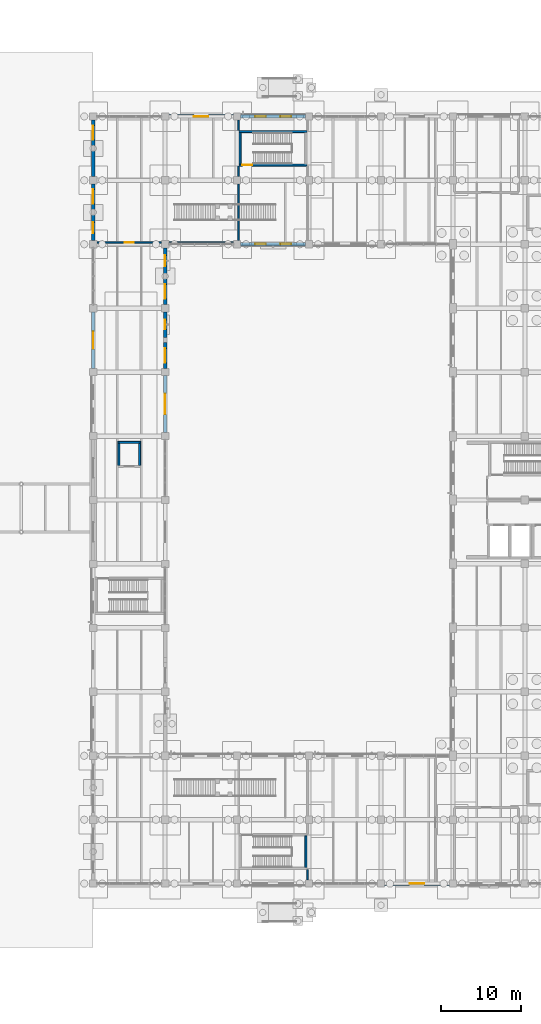
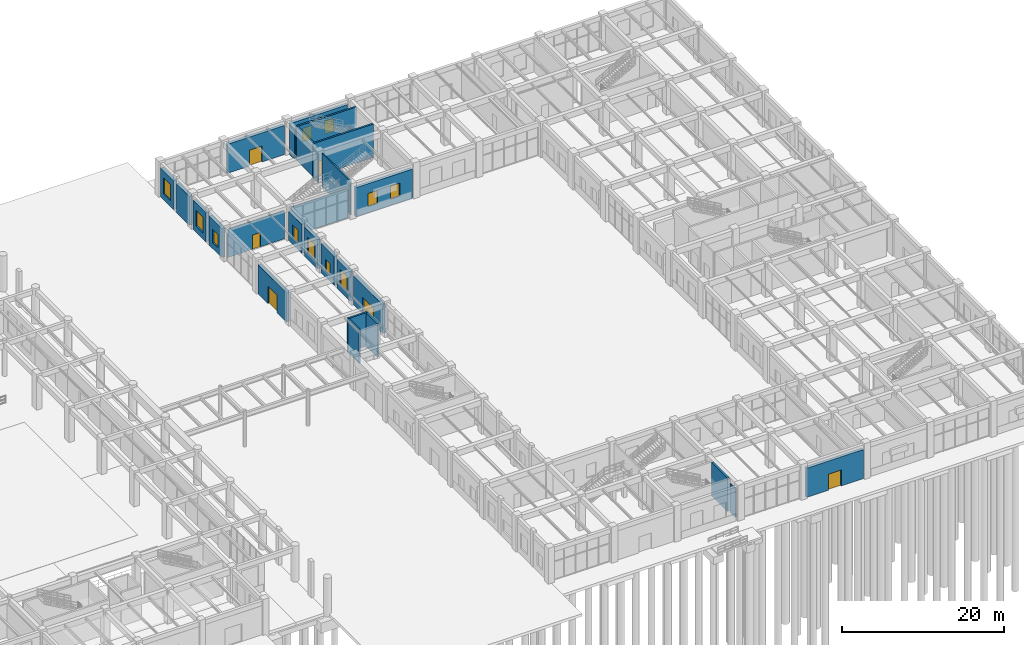
# One storey, part 96 of 121: 27 walls, 11 windows, 6 doors, 17 openings.
"""IFC4 building model written with IfcOpenShell, lengths in metres."""

import ifcopenshell
import ifcopenshell.guid

model = None  # the IFC model being written
_history = None  # IfcOwnerHistory: only IFC2X3 demands one
_inside = {}  # id of a spatial element -> (the spatial element, [elements in it])
_under = {}  # id of a project, library or spatial element -> (it, [spatial elements below it])
_declared = {}  # id of a project -> (the project, [libraries it declares])
_typed = {}  # id of a type object -> (the type object, [elements of that type])
_made_of = {}  # id of a material, layer set ... -> (it, [elements and type objects made of it])


def new_model(schema):
    """Start an empty IFC model of exactly this schema.

    Asked for "IFC4X3", IfcOpenShell would pick the latest addendum, in which some entities
    have other attributes; the version numbers below select the first issue.
    IFC2X3 requires an IfcOwnerHistory on every rooted entity: one is made here for all.
    """
    global model, _history
    if schema == "IFC4X3":
        model = ifcopenshell.file(schema_version=(4, 3, 0, 0))
    else:
        model = ifcopenshell.file(schema=schema)
    _inside.clear()
    _under.clear()
    _declared.clear()
    _typed.clear()
    _made_of.clear()
    _history = None
    if model.schema == "IFC2X3":
        org = make("IfcOrganization", Name="unknown")
        user = make(
            "IfcPersonAndOrganization",
            ThePerson=make("IfcPerson", FamilyName="unknown"),
            TheOrganization=org,
        )
        app = make(
            "IfcApplication",
            ApplicationDeveloper=org,
            Version="unknown",
            ApplicationFullName="unknown",
            ApplicationIdentifier="unknown",
        )
        _history = make(
            "IfcOwnerHistory",
            OwningUser=user,
            OwningApplication=app,
            ChangeAction="ADDED",
            CreationDate=0,
        )
    return model


def make(cls, **values):
    """One entity of the class cls with the attributes given. An attribute that is None is left unset."""
    return model.create_entity(
        cls, **{name: value for name, value in values.items() if value is not None}
    )


def rooted(cls, **values):
    """An entity with a GlobalId (a new one), such as an element, a storey or a relation."""
    return make(cls, GlobalId=ifcopenshell.guid.new(), OwnerHistory=_history, **values)


def si_unit(unit_type, name, prefix=None):
    """IfcSIUnit, for example si_unit("LENGTHUNIT", "METRE", prefix="MILLI")."""
    return make("IfcSIUnit", UnitType=unit_type, Prefix=prefix, Name=name)


def derived_unit(unit_type, elements):
    """IfcDerivedUnit: a product of units, each with its exponent."""
    return make(
        "IfcDerivedUnit",
        Elements=[
            make("IfcDerivedUnitElement", Unit=unit, Exponent=power)
            for unit, power in elements
        ],
        UnitType=unit_type,
    )


def assignment(units):
    """IfcUnitAssignment: the units of a project."""
    return None if units is None else make("IfcUnitAssignment", Units=units)


def point(xyz):
    """IfcCartesianPoint."""
    return None if xyz is None else make("IfcCartesianPoint", Coordinates=xyz)


def direction(xyz):
    """IfcDirection."""
    return None if xyz is None else make("IfcDirection", DirectionRatios=xyz)


def frame(location, z_axis=None, x_axis=None):
    """IfcAxis2Placement3D, a coordinate frame: its origin and axes. An axis left out is left unset."""
    return make(
        "IfcAxis2Placement3D",
        Location=point(location),
        Axis=direction(z_axis),
        RefDirection=direction(x_axis),
    )


def frame_2d(location, x_axis=None):
    """IfcAxis2Placement2D, a coordinate frame in the plane: its origin and x axis."""
    return make(
        "IfcAxis2Placement2D", Location=point(location), RefDirection=direction(x_axis)
    )


def origin():
    """The frame at (0, 0, 0) with its axes left unset."""
    return frame((0.0, 0.0, 0.0))


def place(relative_to, where):
    """IfcLocalPlacement: puts the frame where relative to a parent placement (None: the world)."""
    return make(
        "IfcLocalPlacement", PlacementRelTo=relative_to, RelativePlacement=where
    )


def context(
    kind, dimensions, precision=None, world=None, true_north=None, identifier=None
):
    """IfcGeometricRepresentationContext, for example the 3D "Model" context."""
    return make(
        "IfcGeometricRepresentationContext",
        ContextIdentifier=identifier,
        ContextType=kind,
        CoordinateSpaceDimension=dimensions,
        Precision=precision,
        WorldCoordinateSystem=world,
        TrueNorth=true_north,
    )


def subcontext(parent, identifier, kind, view, scale=None):
    """IfcGeometricRepresentationSubContext, for example "Body" below "Model"."""
    return make(
        "IfcGeometricRepresentationSubContext",
        ContextIdentifier=identifier,
        ContextType=kind,
        ParentContext=parent,
        TargetScale=scale,
        TargetView=view,
    )


def project(units=None, contexts=None):
    """IfcProject with its units and contexts."""
    return rooted(
        "IfcProject",
        Name="project",
        RepresentationContexts=contexts,
        UnitsInContext=assignment(units),
    )


def spatial(cls, under=None, at=None, **own):
    """A site, building, storey or space (cls), placed at a placement, below another one or the project."""
    s = rooted(cls, ObjectPlacement=at, **own)
    if under is not None:
        _under.setdefault(under.id(), (under, []))[1].append(s)
    return s


def profile(cls, at=None, kind="AREA", **sizes):
    """A parametric profile (cls). Its sizes go by their IFC names, for example OverallWidth=200.0."""
    return make(cls, ProfileType=kind, Position=at, **sizes)


def rectangle(**sizes):
    """IfcRectangleProfileDef."""
    return profile("IfcRectangleProfileDef", **sizes)


def extrude(swept, where, along, depth):
    """IfcExtrudedAreaSolid: the profile swept, set in the frame where, extruded along a direction by depth."""
    return make(
        "IfcExtrudedAreaSolid",
        SweptArea=swept,
        Position=where,
        ExtrudedDirection=direction(along),
        Depth=depth,
    )


def shape(context_of_items, identifier, shape_type, items):
    """IfcShapeRepresentation: the items that make up one representation, for example the "Body"."""
    return make(
        "IfcShapeRepresentation",
        ContextOfItems=context_of_items,
        RepresentationIdentifier=identifier,
        RepresentationType=shape_type,
        Items=items,
    )


def material(Name=None, Category=None):
    """IfcMaterial."""
    return make("IfcMaterial", Name=Name, Category=Category)


def layer(
    of_material, thickness, ventilated=None, Name=None, Category=None, Priority=None
):
    """IfcMaterialLayer: one layer of a wall or slab, of a material (None: an air gap)."""
    return make(
        "IfcMaterialLayer",
        Material=of_material,
        LayerThickness=thickness,
        IsVentilated=ventilated,
        Name=Name,
        Category=Category,
        Priority=Priority,
    )


def layer_set(layers, Name=None):
    """IfcMaterialLayerSet."""
    return make("IfcMaterialLayerSet", MaterialLayers=layers, LayerSetName=Name)


def made_of(thing, what):
    """Note that an element or type object is made of a material, layer set ...; save() writes the relation."""
    if what is not None:
        _made_of.setdefault(what.id(), (what, []))[1].append(thing)
    return thing


def type_object(cls, material=None, **own):
    """A type object (cls), such as IfcWallType, which elements share."""
    return made_of(rooted(cls, **own), material)


def element(
    cls,
    number,
    at=None,
    inside=None,
    cuts=None,
    type_object=None,
    material=None,
    context=None,
    identifier="Body",
    shape_type=None,
    held_by="IfcProductDefinitionShape",
    body=None,
    shapes=None,
    **own,
):
    """One element of the class cls, such as IfcWall. Its Tag is "e" and its number.

    at: its placement. inside: the storey or other place that contains it. cuts: it is an
    opening in that element (IfcRelVoidsElement). A single representation is given by context,
    identifier, shape_type and body (its items); several are given by shapes. held_by: the class
    of the entity that holds the representations. save() writes the other relations.
    """
    e = rooted(cls, Tag="e%d" % number, ObjectPlacement=at, **own)
    if body is not None:
        shapes = [shape(context, identifier, shape_type, body)]
    if shapes is not None:
        e.Representation = make(held_by, Representations=shapes)
    if inside is not None:
        _inside.setdefault(inside.id(), (inside, []))[1].append(e)
    if cuts is not None:
        rooted(
            "IfcRelVoidsElement", RelatingBuildingElement=cuts, RelatedOpeningElement=e
        )
    if type_object is not None:
        _typed.setdefault(type_object.id(), (type_object, []))[1].append(e)
    return made_of(e, material)


def fill(opening, filler):
    """IfcRelFillsElement: the door or window that sits in an opening."""
    return rooted(
        "IfcRelFillsElement",
        RelatingOpeningElement=opening,
        RelatedBuildingElement=filler,
    )


def aggregate(whole, parts):
    """IfcRelAggregates: a whole, such as a stair, and the parts it consists of."""
    return rooted("IfcRelAggregates", RelatingObject=whole, RelatedObjects=parts)


def save(model, path):
    """Write the relations noted so far, then the file.

    IfcRelAggregates (storeys below a building ...), IfcRelContainedInSpatialStructure (elements
    in a storey), IfcRelDefinesByType, IfcRelAssociatesMaterial and IfcRelDeclares: one each for
    every whole, place, type object, material and project.
    """
    for whole, parts in _under.values():
        aggregate(whole, parts)
    for where, things in _inside.values():
        rooted(
            "IfcRelContainedInSpatialStructure",
            RelatedElements=things,
            RelatingStructure=where,
        )
    for kind, things in _typed.values():
        rooted("IfcRelDefinesByType", RelatedObjects=things, RelatingType=kind)
    for what, things in _made_of.values():
        rooted("IfcRelAssociatesMaterial", RelatedObjects=things, RelatingMaterial=what)
    for by, libraries in _declared.values():
        rooted("IfcRelDeclares", RelatingContext=by, RelatedDefinitions=libraries)
    model.write(path)


model = new_model("IFC4")

# Units and contexts
model_context = context("Model", 3, precision=1e-05, world=origin(), true_north=direction((0.0, 1.0)))
body_context = subcontext(model_context, "Body", "Model", "MODEL_VIEW")
ifc_project = project(units=[si_unit("LENGTHUNIT", "METRE"), si_unit("AREAUNIT", "SQUARE_METRE"), si_unit("VOLUMEUNIT", "CUBIC_METRE"), si_unit("PLANEANGLEUNIT", "RADIAN"), si_unit("MASSUNIT", "GRAM", prefix="KILO"), derived_unit("THERMALTRANSMITTANCEUNIT", [(si_unit("MASSUNIT", "GRAM", prefix="KILO"), 1), (si_unit("TIMEUNIT", "SECOND"), -3), (si_unit("THERMODYNAMICTEMPERATUREUNIT", "KELVIN"), -1)])], contexts=[model_context])

# Site, building, storey
site_placement = place(None, origin())
site = spatial("IfcSite", under=ifc_project, at=site_placement, CompositionType="ELEMENT")
building_placement = place(site_placement, origin())
building = spatial("IfcBuilding", under=site, at=building_placement, Name="Zhenchuan Archway Interchange", CompositionType="ELEMENT")
storey_placement = place(building_placement, origin())
storey = spatial("IfcBuildingStorey", under=building, at=storey_placement, Name="L00", CompositionType="ELEMENT", Elevation=0.0)

# Wall, opening, door
ifc_material_1 = material(Name="Granite Stone Cladding", Category="masonry")
ifc_layer_1 = layer(ifc_material_1, 0.419921875)
ifc_layer_set_1 = layer_set([ifc_layer_1], Name="Granite Stone Cladding")
wall_type_1 = type_object("IfcWallType", Name="EW_GRANITE_420", PredefinedType="STANDARD", material=ifc_layer_set_1)
wall_1_placement = place(storey_placement, frame((108.447998046875, 104.0, 0.0), z_axis=(0.0, 0.0, 1.0), x_axis=(1.0, 0.0, 0.0)))
wall_1 = element("IfcWall", 1, at=wall_1_placement, inside=storey, type_object=wall_type_1, Name="Exterior wall L00-058", PredefinedType="STANDARD", context=body_context, shape_type="SweptSolid", body=[
    extrude(rectangle(XDim=8.10400390625, YDim=0.419921875, at=frame_2d((4.052001953125, 0.0))), origin(), (0.0, 0.0, 1.0), 4.3798828125),
])
opening_1_placement = place(wall_1_placement, frame((3.152099609375, 0.0, 0.0)))
opening_1 = element("IfcOpeningElement", 2, at=opening_1_placement, cuts=wall_1, Name="Opening ED-04", PredefinedType="OPENING", context=body_context, shape_type="SweptSolid", body=[
    extrude(rectangle(XDim=1.800048828125, YDim=2.39990234375, at=frame_2d((0.89990234375, 1.199951171875))), frame((0.0, 0.221923828125, 0.0), z_axis=(0.0, -1.0, 0.0), x_axis=(1.0, 0.0, 0.0)), (0.0, 0.0, 1.0), 0.44384765625),
])
ifc_material_2 = material(Name="Anodised Aluminium", Category="aluminium")
door_type_1 = type_object("IfcDoorType", Name="ED_ENT_1800x2400", OperationType="DOUBLE_DOOR_SINGLE_SWING", PredefinedType="DOOR", material=ifc_material_2)
door_1_placement = place(opening_1_placement, origin())
door_1 = element("IfcDoor", 3, at=door_1_placement, inside=storey, type_object=door_type_1, Name="Exterior entrance door L00-025", OperationType="SINGLE_SWING_LEFT", OverallHeight=2.39990234375, OverallWidth=1.800048828125, PredefinedType="DOOR", context=body_context, shape_type="SweptSolid", body=[
    extrude(rectangle(XDim=1.800048828125, YDim=2.39990234375, at=frame_2d((0.89990234375, 1.199951171875))), frame((0.0, 0.02490234375, 0.0), z_axis=(0.0, -1.0, 0.0), x_axis=(1.0, 0.0, 0.0)), (0.0, 0.0, 1.0), 0.050048828125),
])
fill(opening_1, door_1)

# Wall, openings, windows
wall_2_placement = place(storey_placement, frame((117.447998046875, 104.0, 0.0), z_axis=(0.0, 0.0, 1.0), x_axis=(1.0, 0.0, 0.0)))
wall_2 = element("IfcWall", 4, at=wall_2_placement, inside=storey, type_object=wall_type_1, Name="Exterior wall L00-059", PredefinedType="STANDARD", context=body_context, shape_type="SweptSolid", body=[
    extrude(rectangle(XDim=8.10400390625, YDim=0.419921875, at=frame_2d((4.052001953125, 0.0))), origin(), (0.0, 0.0, 1.0), 4.3798828125),
])
opening_2_placement = place(wall_2_placement, frame((1.80126953125, 0.0, 0.89990234375)))
opening_2 = element("IfcOpeningElement", 5, at=opening_2_placement, cuts=wall_2, Name="Opening W-06", PredefinedType="OPENING", context=body_context, shape_type="SweptSolid", body=[
    extrude(rectangle(XDim=1.35009765625, YDim=2.0, at=frame_2d((0.675048828125, 1.0))), frame((0.0, 0.221923828125, 0.0), z_axis=(0.0, -1.0, 0.0), x_axis=(1.0, 0.0, 0.0)), (0.0, 0.0, 1.0), 0.44384765625),
])
opening_3_placement = place(wall_2_placement, frame((4.95263671875, 0.0, 0.89990234375)))
opening_3 = element("IfcOpeningElement", 6, at=opening_3_placement, cuts=wall_2, Name="Opening W-06", PredefinedType="OPENING", context=body_context, shape_type="SweptSolid", body=[
    extrude(rectangle(XDim=1.35009765625, YDim=2.0, at=frame_2d((0.675048828125, 1.0))), frame((0.0, 0.221923828125, 0.0), z_axis=(0.0, -1.0, 0.0), x_axis=(1.0, 0.0, 0.0)), (0.0, 0.0, 1.0), 0.44384765625),
])
ifc_material_3 = material(Name="Double Low-E Insulated Glazing", Category="glass")
window_type_1 = type_object("IfcWindowType", Name="WN_MOD_1350x2000", PartitioningType="SINGLE_PANEL", PredefinedType="WINDOW", material=ifc_material_3)
window_1_placement = place(opening_2_placement, origin())
window_1 = element("IfcWindow", 7, at=window_1_placement, inside=storey, type_object=window_type_1, Name="Window L00-0041", OverallHeight=2.0, OverallWidth=1.35009765625, PartitioningType="SINGLE_PANEL", PredefinedType="WINDOW", context=body_context, shape_type="SweptSolid", body=[
    extrude(rectangle(XDim=1.35009765625, YDim=2.0, at=frame_2d((0.675048828125, 1.0))), frame((0.0, 0.030029296875, 0.0), z_axis=(0.0, -1.0, 0.0), x_axis=(1.0, 0.0, 0.0)), (0.0, 0.0, 1.0), 0.06005859375),
])
fill(opening_2, window_1)
window_2_placement = place(opening_3_placement, origin())
window_2 = element("IfcWindow", 8, at=window_2_placement, inside=storey, type_object=window_type_1, Name="Window L00-0042", OverallHeight=2.0, OverallWidth=1.35009765625, PartitioningType="SINGLE_PANEL", PredefinedType="WINDOW", context=body_context, shape_type="SweptSolid", body=[
    extrude(rectangle(XDim=1.35009765625, YDim=2.0, at=frame_2d((0.675048828125, 1.0))), frame((0.0, 0.030029296875, 0.0), z_axis=(0.0, -1.0, 0.0), x_axis=(1.0, 0.0, 0.0)), (0.0, 0.0, 1.0), 0.06005859375),
])
fill(opening_3, window_2)

# Wall, opening, door
wall_3_placement = place(storey_placement, frame((143.552001953125, 8.0, 0.0), z_axis=(0.0, 0.0, 1.0), x_axis=(-1.0, 0.0, 0.0)))
wall_3 = element("IfcWall", 9, at=wall_3_placement, inside=storey, type_object=wall_type_1, Name="Exterior wall L00-080", PredefinedType="STANDARD", context=body_context, shape_type="SweptSolid", body=[
    extrude(rectangle(XDim=8.10400390625, YDim=0.419921875, at=frame_2d((4.052001953125, 0.0))), origin(), (0.0, 0.0, 1.0), 4.3798828125),
])
opening_4_placement = place(wall_3_placement, frame((3.152099609375, 0.0, 0.0)))
opening_4 = element("IfcOpeningElement", 10, at=opening_4_placement, cuts=wall_3, Name="Opening ED-04", PredefinedType="OPENING", context=body_context, shape_type="SweptSolid", body=[
    extrude(rectangle(XDim=1.800048828125, YDim=2.39990234375, at=frame_2d((0.89990234375, 1.199951171875))), frame((0.0, 0.221923828125, 0.0), z_axis=(0.0, -1.0, 0.0), x_axis=(1.0, 0.0, 0.0)), (0.0, 0.0, 1.0), 0.44384765625),
])
door_2_placement = place(opening_4_placement, origin())
door_2 = element("IfcDoor", 11, at=door_2_placement, inside=storey, type_object=door_type_1, Name="Exterior entrance door L00-031", OperationType="SINGLE_SWING_LEFT", OverallHeight=2.39990234375, OverallWidth=1.800048828125, PredefinedType="DOOR", context=body_context, shape_type="SweptSolid", body=[
    extrude(rectangle(XDim=1.800048828125, YDim=2.39990234375, at=frame_2d((0.89990234375, 1.199951171875))), frame((0.0, 0.02490234375, 0.0), z_axis=(0.0, -1.0, 0.0), x_axis=(1.0, 0.0, 0.0)), (0.0, 0.0, 1.0), 0.050048828125),
])
fill(opening_4, door_2)

wall_4_placement = place(storey_placement, frame((99.0, 72.447998046875, 0.0), z_axis=(0.0, 0.0, 1.0), x_axis=(0.0, 1.0, 0.0)))
wall_4 = element("IfcWall", 12, at=wall_4_placement, inside=storey, type_object=wall_type_1, Name="Exterior wall L00-095", PredefinedType="STANDARD", context=body_context, shape_type="SweptSolid", body=[
    extrude(rectangle(XDim=7.10400390625, YDim=0.419921875, at=frame_2d((3.552001953125, 0.0))), origin(), (0.0, 0.0, 1.0), 4.3798828125),
])
opening_5_placement = place(wall_4_placement, frame((2.451904296875, 0.0, 0.0)))
opening_5 = element("IfcOpeningElement", 13, at=opening_5_placement, cuts=wall_4, Name="Opening ED-02", PredefinedType="OPENING", context=body_context, shape_type="SweptSolid", body=[
    extrude(rectangle(XDim=2.199951171875, YDim=2.60009765625, at=frame_2d((1.10009765625, 1.300048828125))), frame((0.0, 0.221923828125, 0.0), z_axis=(0.0, -1.0, 0.0), x_axis=(1.0, 0.0, 0.0)), (0.0, 0.0, 1.0), 0.44384765625),
])
door_type_2 = type_object("IfcDoorType", Name="ED_CONC_2200x2600", OperationType="DOUBLE_DOOR_SINGLE_SWING", PredefinedType="DOOR", material=ifc_material_2)
door_3_placement = place(opening_5_placement, origin())
door_3 = element("IfcDoor", 14, at=door_3_placement, inside=storey, type_object=door_type_2, Name="Exterior entrance door L00-036", OperationType="SINGLE_SWING_LEFT", OverallHeight=2.60009765625, OverallWidth=2.199951171875, PredefinedType="DOOR", context=body_context, shape_type="SweptSolid", body=[
    extrude(rectangle(XDim=2.199951171875, YDim=2.60009765625, at=frame_2d((1.10009765625, 1.300048828125))), frame((0.0, 0.02490234375, 0.0), z_axis=(0.0, -1.0, 0.0), x_axis=(1.0, 0.0, 0.0)), (0.0, 0.0, 1.0), 0.050048828125),
])
fill(opening_5, door_3)

# Wall, opening, window
wall_5_placement = place(storey_placement, frame((99.0, 88.447998046875, 0.0), z_axis=(0.0, 0.0, 1.0), x_axis=(0.0, 1.0, 0.0)))
wall_5 = element("IfcWall", 15, at=wall_5_placement, inside=storey, type_object=wall_type_1, Name="Exterior wall L00-097", PredefinedType="STANDARD", context=body_context, shape_type="SweptSolid", body=[
    extrude(rectangle(XDim=3.2041015625, YDim=0.419921875, at=frame_2d((1.60205078125, 0.0))), origin(), (0.0, 0.0, 1.0), 4.3798828125),
])
opening_6_placement = place(wall_5_placement, frame((0.927001953125, 0.0, 0.89990234375)))
opening_6 = element("IfcOpeningElement", 16, at=opening_6_placement, cuts=wall_5, Name="Opening W-06", PredefinedType="OPENING", context=body_context, shape_type="SweptSolid", body=[
    extrude(rectangle(XDim=1.35009765625, YDim=2.0, at=frame_2d((0.675048828125, 1.0))), frame((0.0, 0.221923828125, 0.0), z_axis=(0.0, -1.0, 0.0), x_axis=(1.0, 0.0, 0.0)), (0.0, 0.0, 1.0), 0.44384765625),
])
window_3_placement = place(opening_6_placement, origin())
window_3 = element("IfcWindow", 17, at=window_3_placement, inside=storey, type_object=window_type_1, Name="Window L00-0075", OverallHeight=2.0, OverallWidth=1.35009765625, PartitioningType="SINGLE_PANEL", PredefinedType="WINDOW", context=body_context, shape_type="SweptSolid", body=[
    extrude(rectangle(XDim=1.35009765625, YDim=2.0, at=frame_2d((0.675048828125, 1.0))), frame((0.0, 0.030029296875, 0.0), z_axis=(0.0, -1.0, 0.0), x_axis=(1.0, 0.0, 0.0)), (0.0, 0.0, 1.0), 0.06005859375),
])
fill(opening_6, window_3)

wall_6_placement = place(storey_placement, frame((99.0, 92.347900390625, 0.0), z_axis=(0.0, 0.0, 1.0), x_axis=(0.0, 1.0, 0.0)))
wall_6 = element("IfcWall", 18, at=wall_6_placement, inside=storey, type_object=wall_type_1, Name="Exterior wall L00-098", PredefinedType="STANDARD", context=body_context, shape_type="SweptSolid", body=[
    extrude(rectangle(XDim=3.2041015625, YDim=0.419921875, at=frame_2d((1.60205078125, 0.0))), origin(), (0.0, 0.0, 1.0), 4.3798828125),
])
opening_7_placement = place(wall_6_placement, frame((0.701904296875, 0.0, 0.89990234375)))
opening_7 = element("IfcOpeningElement", 19, at=opening_7_placement, cuts=wall_6, Name="Opening W-03", PredefinedType="OPENING", context=body_context, shape_type="SweptSolid", body=[
    extrude(rectangle(XDim=1.800048828125, YDim=2.39990234375, at=frame_2d((0.89990234375, 1.199951171875))), frame((0.0, 0.221923828125, 0.0), z_axis=(0.0, -1.0, 0.0), x_axis=(1.0, 0.0, 0.0)), (0.0, 0.0, 1.0), 0.44384765625),
])
window_type_2 = type_object("IfcWindowType", Name="WN_PUNCH_1800x2400", PartitioningType="SINGLE_PANEL", PredefinedType="WINDOW", material=ifc_material_3)
window_4_placement = place(opening_7_placement, origin())
window_4 = element("IfcWindow", 20, at=window_4_placement, inside=storey, type_object=window_type_2, Name="Window L00-0076", OverallHeight=2.39990234375, OverallWidth=1.800048828125, PartitioningType="SINGLE_PANEL", PredefinedType="WINDOW", context=body_context, shape_type="SweptSolid", body=[
    extrude(rectangle(XDim=1.800048828125, YDim=2.39990234375, at=frame_2d((0.89990234375, 1.199951171875))), frame((0.0, 0.030029296875, 0.0), z_axis=(0.0, -1.0, 0.0), x_axis=(1.0, 0.0, 0.0)), (0.0, 0.0, 1.0), 0.06005859375),
])
fill(opening_7, window_4)

# Wall
wall_7_placement = place(storey_placement, frame((99.0, 96.447998046875, 0.0), z_axis=(0.0, 0.0, 1.0), x_axis=(0.0, 1.0, 0.0)))
element("IfcWall", 21, at=wall_7_placement, inside=storey, type_object=wall_type_1, Name="Exterior wall L00-099", PredefinedType="STANDARD", context=body_context, shape_type="SweptSolid", body=[
    extrude(rectangle(XDim=3.2041015625, YDim=0.419921875, at=frame_2d((1.60205078125, 0.0))), origin(), (0.0, 0.0, 1.0), 4.3798828125),
])

# Wall, opening, window
wall_8_placement = place(storey_placement, frame((99.0, 100.347900390625, 0.0), z_axis=(0.0, 0.0, 1.0), x_axis=(0.0, 1.0, 0.0)))
wall_8 = element("IfcWall", 22, at=wall_8_placement, inside=storey, type_object=wall_type_1, Name="Exterior wall L00-100", PredefinedType="STANDARD", context=body_context, shape_type="SweptSolid", body=[
    extrude(rectangle(XDim=3.2041015625, YDim=0.419921875, at=frame_2d((1.60205078125, 0.0))), origin(), (0.0, 0.0, 1.0), 4.3798828125),
])
opening_8_placement = place(wall_8_placement, frame((0.701904296875, 0.0, 0.89990234375)))
opening_8 = element("IfcOpeningElement", 23, at=opening_8_placement, cuts=wall_8, Name="Opening W-03", PredefinedType="OPENING", context=body_context, shape_type="SweptSolid", body=[
    extrude(rectangle(XDim=1.800048828125, YDim=2.39990234375, at=frame_2d((0.89990234375, 1.199951171875))), frame((0.0, 0.221923828125, 0.0), z_axis=(0.0, -1.0, 0.0), x_axis=(1.0, 0.0, 0.0)), (0.0, 0.0, 1.0), 0.44384765625),
])
window_5_placement = place(opening_8_placement, origin())
window_5 = element("IfcWindow", 24, at=window_5_placement, inside=storey, type_object=window_type_2, Name="Window L00-0077", OverallHeight=2.39990234375, OverallWidth=1.800048828125, PartitioningType="SINGLE_PANEL", PredefinedType="WINDOW", context=body_context, shape_type="SweptSolid", body=[
    extrude(rectangle(XDim=1.800048828125, YDim=2.39990234375, at=frame_2d((0.89990234375, 1.199951171875))), frame((0.0, 0.030029296875, 0.0), z_axis=(0.0, -1.0, 0.0), x_axis=(1.0, 0.0, 0.0)), (0.0, 0.0, 1.0), 0.06005859375),
])
fill(opening_8, window_5)

# Wall, openings, windows
wall_9_placement = place(storey_placement, frame((125.552001953125, 88.0, 0.0), z_axis=(0.0, 0.0, 1.0), x_axis=(-1.0, 0.0, 0.0)))
wall_9 = element("IfcWall", 25, at=wall_9_placement, inside=storey, type_object=wall_type_1, Name="Exterior wall L00-113", PredefinedType="STANDARD", context=body_context, shape_type="SweptSolid", body=[
    extrude(rectangle(XDim=8.10400390625, YDim=0.419921875, at=frame_2d((4.052001953125, 0.0))), origin(), (0.0, 0.0, 1.0), 4.3798828125),
])
opening_9_placement = place(wall_9_placement, frame((1.80126953125, 0.0, 0.89990234375)))
opening_9 = element("IfcOpeningElement", 26, at=opening_9_placement, cuts=wall_9, Name="Opening W-06", PredefinedType="OPENING", context=body_context, shape_type="SweptSolid", body=[
    extrude(rectangle(XDim=1.35009765625, YDim=2.0, at=frame_2d((0.675048828125, 1.0))), frame((0.0, 0.221923828125, 0.0), z_axis=(0.0, -1.0, 0.0), x_axis=(1.0, 0.0, 0.0)), (0.0, 0.0, 1.0), 0.44384765625),
])
opening_10_placement = place(wall_9_placement, frame((4.95263671875, 0.0, 0.89990234375)))
opening_10 = element("IfcOpeningElement", 27, at=opening_10_placement, cuts=wall_9, Name="Opening W-06", PredefinedType="OPENING", context=body_context, shape_type="SweptSolid", body=[
    extrude(rectangle(XDim=1.35009765625, YDim=2.0, at=frame_2d((0.675048828125, 1.0))), frame((0.0, 0.221923828125, 0.0), z_axis=(0.0, -1.0, 0.0), x_axis=(1.0, 0.0, 0.0)), (0.0, 0.0, 1.0), 0.44384765625),
])
window_6_placement = place(opening_9_placement, origin())
window_6 = element("IfcWindow", 28, at=window_6_placement, inside=storey, type_object=window_type_1, Name="Window L00-0094", OverallHeight=2.0, OverallWidth=1.35009765625, PartitioningType="SINGLE_PANEL", PredefinedType="WINDOW", context=body_context, shape_type="SweptSolid", body=[
    extrude(rectangle(XDim=1.35009765625, YDim=2.0, at=frame_2d((0.675048828125, 1.0))), frame((0.0, 0.030029296875, 0.0), z_axis=(0.0, -1.0, 0.0), x_axis=(1.0, 0.0, 0.0)), (0.0, 0.0, 1.0), 0.06005859375),
])
fill(opening_9, window_6)
window_7_placement = place(opening_10_placement, origin())
window_7 = element("IfcWindow", 29, at=window_7_placement, inside=storey, type_object=window_type_1, Name="Window L00-0095", OverallHeight=2.0, OverallWidth=1.35009765625, PartitioningType="SINGLE_PANEL", PredefinedType="WINDOW", context=body_context, shape_type="SweptSolid", body=[
    extrude(rectangle(XDim=1.35009765625, YDim=2.0, at=frame_2d((0.675048828125, 1.0))), frame((0.0, 0.030029296875, 0.0), z_axis=(0.0, -1.0, 0.0), x_axis=(1.0, 0.0, 0.0)), (0.0, 0.0, 1.0), 0.06005859375),
])
fill(opening_10, window_7)

# Wall, opening, window
wall_10_placement = place(storey_placement, frame((108.0, 87.552001953125, 0.0), z_axis=(0.0, 0.0, 1.0), x_axis=(0.0, -1.0, 0.0)))
wall_10 = element("IfcWall", 30, at=wall_10_placement, inside=storey, type_object=wall_type_1, Name="Exterior wall L00-115", PredefinedType="STANDARD", context=body_context, shape_type="SweptSolid", body=[
    extrude(rectangle(XDim=3.22900390625, YDim=0.419921875, at=frame_2d((1.614501953125, 0.0))), origin(), (0.0, 0.0, 1.0), 4.3798828125),
])
opening_11_placement = place(wall_10_placement, frame((0.939453125, 0.0, 0.89990234375)))
opening_11 = element("IfcOpeningElement", 31, at=opening_11_placement, cuts=wall_10, Name="Opening W-06", PredefinedType="OPENING", context=body_context, shape_type="SweptSolid", body=[
    extrude(rectangle(XDim=1.35009765625, YDim=2.0, at=frame_2d((0.675048828125, 1.0))), frame((0.0, 0.221923828125, 0.0), z_axis=(0.0, -1.0, 0.0), x_axis=(1.0, 0.0, 0.0)), (0.0, 0.0, 1.0), 0.44384765625),
])
window_8_placement = place(opening_11_placement, origin())
window_8 = element("IfcWindow", 32, at=window_8_placement, inside=storey, type_object=window_type_1, Name="Window L00-0096", OverallHeight=2.0, OverallWidth=1.35009765625, PartitioningType="SINGLE_PANEL", PredefinedType="WINDOW", context=body_context, shape_type="SweptSolid", body=[
    extrude(rectangle(XDim=1.35009765625, YDim=2.0, at=frame_2d((0.675048828125, 1.0))), frame((0.0, 0.030029296875, 0.0), z_axis=(0.0, -1.0, 0.0), x_axis=(1.0, 0.0, 0.0)), (0.0, 0.0, 1.0), 0.06005859375),
])
fill(opening_11, window_8)

wall_11_placement = place(storey_placement, frame((108.0, 83.677001953125, 0.0), z_axis=(0.0, 0.0, 1.0), x_axis=(0.0, -1.0, 0.0)))
wall_11 = element("IfcWall", 33, at=wall_11_placement, inside=storey, type_object=wall_type_1, Name="Exterior wall L00-116", PredefinedType="STANDARD", context=body_context, shape_type="SweptSolid", body=[
    extrude(rectangle(XDim=3.22900390625, YDim=0.419921875, at=frame_2d((1.614501953125, 0.0))), origin(), (0.0, 0.0, 1.0), 4.3798828125),
])
opening_12_placement = place(wall_11_placement, frame((0.714599609375, 0.0, 0.89990234375)))
opening_12 = element("IfcOpeningElement", 34, at=opening_12_placement, cuts=wall_11, Name="Opening W-03", PredefinedType="OPENING", context=body_context, shape_type="SweptSolid", body=[
    extrude(rectangle(XDim=1.800048828125, YDim=2.39990234375, at=frame_2d((0.89990234375, 1.199951171875))), frame((0.0, 0.221923828125, 0.0), z_axis=(0.0, -1.0, 0.0), x_axis=(1.0, 0.0, 0.0)), (0.0, 0.0, 1.0), 0.44384765625),
])
window_9_placement = place(opening_12_placement, origin())
window_9 = element("IfcWindow", 35, at=window_9_placement, inside=storey, type_object=window_type_2, Name="Window L00-0097", OverallHeight=2.39990234375, OverallWidth=1.800048828125, PartitioningType="SINGLE_PANEL", PredefinedType="WINDOW", context=body_context, shape_type="SweptSolid", body=[
    extrude(rectangle(XDim=1.800048828125, YDim=2.39990234375, at=frame_2d((0.89990234375, 1.199951171875))), frame((0.0, 0.030029296875, 0.0), z_axis=(0.0, -1.0, 0.0), x_axis=(1.0, 0.0, 0.0)), (0.0, 0.0, 1.0), 0.06005859375),
])
fill(opening_12, window_9)

wall_12_placement = place(storey_placement, frame((108.0, 79.552001953125, 0.0), z_axis=(0.0, 0.0, 1.0), x_axis=(0.0, -1.0, 0.0)))
wall_12 = element("IfcWall", 36, at=wall_12_placement, inside=storey, type_object=wall_type_1, Name="Exterior wall L00-117", PredefinedType="STANDARD", context=body_context, shape_type="SweptSolid", body=[
    extrude(rectangle(XDim=3.22900390625, YDim=0.419921875, at=frame_2d((1.614501953125, 0.0))), origin(), (0.0, 0.0, 1.0), 4.3798828125),
])
opening_13_placement = place(wall_12_placement, frame((1.014404296875, 0.0, 0.89990234375)))
opening_13 = element("IfcOpeningElement", 37, at=opening_13_placement, cuts=wall_12, Name="Opening W-07", PredefinedType="OPENING", context=body_context, shape_type="SweptSolid", body=[
    extrude(rectangle(XDim=1.199951171875, YDim=1.800048828125, at=frame_2d((0.60009765625, 0.89990234375))), frame((0.0, 0.221923828125, 0.0), z_axis=(0.0, -1.0, 0.0), x_axis=(1.0, 0.0, 0.0)), (0.0, 0.0, 1.0), 0.44384765625),
])
window_type_3 = type_object("IfcWindowType", Name="WN_MOD_1200x1800", PartitioningType="SINGLE_PANEL", PredefinedType="WINDOW", material=ifc_material_3)
window_10_placement = place(opening_13_placement, origin())
window_10 = element("IfcWindow", 38, at=window_10_placement, inside=storey, type_object=window_type_3, Name="Window L00-0098", OverallHeight=1.800048828125, OverallWidth=1.199951171875, PartitioningType="SINGLE_PANEL", PredefinedType="WINDOW", context=body_context, shape_type="SweptSolid", body=[
    extrude(rectangle(XDim=1.199951171875, YDim=1.800048828125, at=frame_2d((0.60009765625, 0.89990234375))), frame((0.0, 0.030029296875, 0.0), z_axis=(0.0, -1.0, 0.0), x_axis=(1.0, 0.0, 0.0)), (0.0, 0.0, 1.0), 0.06005859375),
])
fill(opening_13, window_10)

wall_13_placement = place(storey_placement, frame((108.0, 75.677001953125, 0.0), z_axis=(0.0, 0.0, 1.0), x_axis=(0.0, -1.0, 0.0)))
wall_13 = element("IfcWall", 39, at=wall_13_placement, inside=storey, type_object=wall_type_1, Name="Exterior wall L00-118", PredefinedType="STANDARD", context=body_context, shape_type="SweptSolid", body=[
    extrude(rectangle(XDim=3.22900390625, YDim=0.419921875, at=frame_2d((1.614501953125, 0.0))), origin(), (0.0, 0.0, 1.0), 4.3798828125),
])
opening_14_placement = place(wall_13_placement, frame((0.714599609375, 0.0, 0.89990234375)))
opening_14 = element("IfcOpeningElement", 40, at=opening_14_placement, cuts=wall_13, Name="Opening W-03", PredefinedType="OPENING", context=body_context, shape_type="SweptSolid", body=[
    extrude(rectangle(XDim=1.800048828125, YDim=2.39990234375, at=frame_2d((0.89990234375, 1.199951171875))), frame((0.0, 0.221923828125, 0.0), z_axis=(0.0, -1.0, 0.0), x_axis=(1.0, 0.0, 0.0)), (0.0, 0.0, 1.0), 0.44384765625),
])
window_11_placement = place(opening_14_placement, origin())
window_11 = element("IfcWindow", 41, at=window_11_placement, inside=storey, type_object=window_type_2, Name="Window L00-0099", OverallHeight=2.39990234375, OverallWidth=1.800048828125, PartitioningType="SINGLE_PANEL", PredefinedType="WINDOW", context=body_context, shape_type="SweptSolid", body=[
    extrude(rectangle(XDim=1.800048828125, YDim=2.39990234375, at=frame_2d((0.89990234375, 1.199951171875))), frame((0.0, 0.030029296875, 0.0), z_axis=(0.0, -1.0, 0.0), x_axis=(1.0, 0.0, 0.0)), (0.0, 0.0, 1.0), 0.06005859375),
])
fill(opening_14, window_11)

# Wall, opening, door
wall_14_placement = place(storey_placement, frame((108.0, 71.552001953125, 0.0), z_axis=(0.0, 0.0, 1.0), x_axis=(0.0, -1.0, 0.0)))
wall_14 = element("IfcWall", 42, at=wall_14_placement, inside=storey, type_object=wall_type_1, Name="Exterior wall L00-119", PredefinedType="STANDARD", context=body_context, shape_type="SweptSolid", body=[
    extrude(rectangle(XDim=7.10400390625, YDim=0.419921875, at=frame_2d((3.552001953125, 0.0))), origin(), (0.0, 0.0, 1.0), 4.3798828125),
])
opening_15_placement = place(wall_14_placement, frame((2.251953125, 0.0, 0.0)))
opening_15 = element("IfcOpeningElement", 43, at=opening_15_placement, cuts=wall_14, Name="Opening CG-02", PredefinedType="OPENING", context=body_context, shape_type="SweptSolid", body=[
    extrude(rectangle(XDim=2.60009765625, YDim=2.5, at=frame_2d((1.300048828125, 1.25))), frame((0.0, 0.221923828125, 0.0), z_axis=(0.0, -1.0, 0.0), x_axis=(1.0, 0.0, 0.0)), (0.0, 0.0, 1.0), 0.44384765625),
])
ifc_material_4 = material(Name="Painted Galvanised Steel", Category="steel")
door_type_3 = type_object("IfcDoorType", Name="CG_COURT_2600x2500", OperationType="DOUBLE_DOOR_SINGLE_SWING", PredefinedType="GATE", material=ifc_material_4)
door_4_placement = place(opening_15_placement, origin())
door_4 = element("IfcDoor", 44, at=door_4_placement, inside=storey, type_object=door_type_3, Name="Exterior entrance door L00-037", OperationType="SINGLE_SWING_LEFT", OverallHeight=2.5, OverallWidth=2.60009765625, PredefinedType="GATE", context=body_context, shape_type="SweptSolid", body=[
    extrude(rectangle(XDim=2.60009765625, YDim=2.5, at=frame_2d((1.300048828125, 1.25))), frame((0.0, 0.02490234375, 0.0), z_axis=(0.0, -1.0, 0.0), x_axis=(1.0, 0.0, 0.0)), (0.0, 0.0, 1.0), 0.050048828125),
])
fill(opening_15, door_4)

# Walls
ifc_material_5 = material(Name="Concrete C40", Category="concrete")
ifc_layer_2 = layer(ifc_material_5, 0.239990234375)
ifc_layer_set_2 = layer_set([ifc_layer_2], Name="Concrete C40")
wall_type_2 = type_object("IfcWallType", Name="WL_LIFT_240", PredefinedType="SHEAR", material=ifc_layer_set_2)
wall_15_placement = place(storey_placement, frame((104.919921875, 63.199951171875, 0.0), z_axis=(0.0, 0.0, 1.0), x_axis=(-1.0, 0.0, 0.0)))
element("IfcWall", 45, at=wall_15_placement, inside=storey, type_object=wall_type_2, Name="Lift LF-05 north shaft wall (L00)", PredefinedType="SHEAR", context=body_context, shape_type="SweptSolid", body=[
    extrude(rectangle(XDim=2.83984375, YDim=0.239990234375, at=frame_2d((1.419921875, 0.0))), origin(), (0.0, 0.0, 1.0), 5.050048828125),
])
for number, where, z_axis, x_axis, name in (
    (46, (102.199951171875, 63.080078125, 0.0), (0.0, 0.0, 1.0), (0.0, -1.0, 0.0), "Lift LF-05 west shaft wall (L00)"),
    (47, (104.800048828125, 60.320068359375, 0.0), (0.0, 0.0, 1.0), (0.0, 1.0, 0.0), "Lift LF-05 east shaft wall (L00)"),
):
    element("IfcWall", number, at=place(storey_placement, frame(where, z_axis=z_axis, x_axis=x_axis)), inside=storey, type_object=wall_type_2, Name=name, PredefinedType="SHEAR", context=body_context, shape_type="SweptSolid", body=[
        extrude(rectangle(XDim=2.760009765625, YDim=0.239990234375, at=frame_2d((1.3798828125, 0.0))), origin(), (0.0, 0.0, 1.0), 5.050048828125),
    ])
ifc_material_6 = material(Name="Concrete Block Masonry", Category="masonry")
ifc_layer_3 = layer(ifc_material_6, 0.179931640625)
ifc_layer_set_3 = layer_set([ifc_layer_3], Name="Concrete Block Masonry")
wall_type_3 = type_object("IfcWallType", Name="WL_PART_180", PredefinedType="STANDARD", material=ifc_layer_set_3)
wall_16_placement = place(storey_placement, frame((125.800048828125, 8.47509765625, 0.0), z_axis=(0.0, 0.0, 1.0), x_axis=(0.0, 1.0, 0.0)))
element("IfcWall", 48, at=wall_16_placement, inside=storey, type_object=wall_type_3, Name="Transit Police and Station Security Post W partition (L00)", PredefinedType="STANDARD", context=body_context, shape_type="SweptSolid", body=[
    extrude(rectangle(XDim=1.289794921875, YDim=0.179931640625, at=frame_2d((0.64501953125, 0.0))), origin(), (0.0, 0.0, 1.0), 4.330078125),
])

# Wall, opening, door
wall_17_placement = place(storey_placement, frame((99.47509765625, 88.199951171875, 0.0), z_axis=(0.0, 0.0, 1.0), x_axis=(1.0, 0.0, 0.0)))
wall_17 = element("IfcWall", 49, at=wall_17_placement, inside=storey, type_object=wall_type_3, Name="First Aid and Passenger Welfare Suite S partition (L00)", PredefinedType="STANDARD", context=body_context, shape_type="SweptSolid", body=[
    extrude(rectangle(XDim=8.0498046875, YDim=0.179931640625, at=frame_2d((4.02490234375, 0.0))), origin(), (0.0, 0.0, 1.0), 4.22998046875),
])
opening_16_placement = place(wall_17_placement, frame((3.449951171875, 0.0, 0.0)))
opening_16 = element("IfcOpeningElement", 50, at=opening_16_placement, cuts=wall_17, Name="Opening ID-06", PredefinedType="OPENING", context=body_context, shape_type="SweptSolid", body=[
    extrude(rectangle(XDim=1.14990234375, YDim=2.14990234375, at=frame_2d((0.574951171875, 1.074951171875))), frame((0.0, 0.10205078125, 0.0), z_axis=(0.0, -1.0, 0.0), x_axis=(1.0, 0.0, 0.0)), (0.0, 0.0, 1.0), 0.203857421875),
])
ifc_material_7 = material(Name="Hardwood Timber", Category="wood")
door_type_4 = type_object("IfcDoorType", Name="DR_CTRL_115", OperationType="NOTDEFINED", PredefinedType="DOOR", material=ifc_material_7)
door_5_placement = place(opening_16_placement, origin())
door_5 = element("IfcDoor", 51, at=door_5_placement, inside=storey, type_object=door_type_4, Name="First Aid and Passenger Welfare Suite door (L00)", OperationType="SINGLE_SWING_RIGHT", OverallHeight=2.14990234375, OverallWidth=1.14990234375, PredefinedType="DOOR", context=body_context, shape_type="SweptSolid", body=[
    extrude(rectangle(XDim=1.14990234375, YDim=2.14990234375, at=frame_2d((0.574951171875, 1.074951171875))), frame((0.0, 0.02490234375, 0.0), z_axis=(0.0, -1.0, 0.0), x_axis=(1.0, 0.0, 0.0)), (0.0, 0.0, 1.0), 0.050048828125),
])
fill(opening_16, door_5)

# Walls
wall_18_placement = place(storey_placement, frame((108.47509765625, 88.199951171875, 0.0), z_axis=(0.0, 0.0, 1.0), x_axis=(1.0, 0.0, 0.0)))
element("IfcWall", 52, at=wall_18_placement, inside=storey, type_object=wall_type_3, Name="First Aid and Passenger Welfare Suite S partition (L00)", PredefinedType="STANDARD", context=body_context, shape_type="SweptSolid", body=[
    extrude(rectangle(XDim=8.0498046875, YDim=0.179931640625, at=frame_2d((4.02490234375, 0.0))), origin(), (0.0, 0.0, 1.0), 4.3798828125),
])
wall_19_placement = place(storey_placement, frame((117.199951171875, 88.47509765625, 0.0), z_axis=(0.0, 0.0, 1.0), x_axis=(0.0, 1.0, 0.0)))
element("IfcWall", 53, at=wall_19_placement, inside=storey, type_object=wall_type_3, Name="First Aid and Passenger Welfare Suite E partition (L00)", PredefinedType="STANDARD", context=body_context, shape_type="SweptSolid", body=[
    extrude(rectangle(XDim=7.0498046875, YDim=0.179931640625, at=frame_2d((3.52490234375, 0.0))), origin(), (0.0, 0.0, 1.0), 5.050048828125),
])
for number, where, z_axis, x_axis, name in (
    (54, (117.199951171875, 96.47509765625, 0.0), (0.0, 0.0, 1.0), (0.0, 1.0, 0.0), "First Aid and Passenger Welfare Suite E partition (L00)"),
    (55, (117.199951171875, 102.235107421875, 0.0), (0.0, 0.0, 1.0), (0.0, 1.0, 0.0), "First Aid and Passenger Welfare Suite E partition (L00)"),
):
    element("IfcWall", number, at=place(storey_placement, frame(where, z_axis=z_axis, x_axis=x_axis)), inside=storey, type_object=wall_type_3, Name=name, PredefinedType="STANDARD", context=body_context, shape_type="SweptSolid", body=[
        extrude(rectangle(XDim=1.289794921875, YDim=0.179931640625, at=frame_2d((0.64501953125, 0.0))), origin(), (0.0, 0.0, 1.0), 4.22998046875),
    ])
ifc_layer_4 = layer(ifc_material_5, 0.25)
ifc_layer_set_4 = layer_set([ifc_layer_4], Name="Concrete C40")
wall_type_4 = type_object("IfcWallType", Name="WL_STAIR_250", PredefinedType="SHEAR", material=ifc_layer_set_4)
wall_20_placement = place(storey_placement, frame((125.6201171875, 10.02490234375, 0.0), z_axis=(0.0, 0.0, 1.0), x_axis=(0.0, 1.0, 0.0)))
element("IfcWall", 56, at=wall_20_placement, inside=storey, type_object=wall_type_4, Name="Stair ST-O5 east wall (L00)", PredefinedType="SHEAR", context=body_context, shape_type="SweptSolid", body=[
    extrude(rectangle(XDim=3.9501953125, YDim=0.25, at=frame_2d((1.97509765625, 0.0))), origin(), (0.0, 0.0, 1.0), 5.050048828125),
])

# Wall, opening, door
wall_21_placement = place(storey_placement, frame((117.2548828125, 97.89990234375, 0.0), z_axis=(0.0, 0.0, 1.0), x_axis=(1.0, 0.0, 0.0)))
wall_21 = element("IfcWall", 57, at=wall_21_placement, inside=storey, type_object=wall_type_4, Name="Stair ST-O6 south wall (L00)", PredefinedType="SHEAR", context=body_context, shape_type="SweptSolid", body=[
    extrude(rectangle(XDim=8.490234375, YDim=0.25, at=frame_2d((4.2451171875, 0.0))), origin(), (0.0, 0.0, 1.0), 5.050048828125),
])
opening_17_placement = place(wall_21_placement, frame((0.405029296875, 0.0, 0.0)))
opening_17 = element("IfcOpeningElement", 58, at=opening_17_placement, cuts=wall_21, Name="Opening FD-01", PredefinedType="OPENING", context=body_context, shape_type="SweptSolid", body=[
    extrude(rectangle(XDim=1.25, YDim=2.14990234375, at=frame_2d((0.625, 1.074951171875))), frame((0.0, 0.136962890625, 0.0), z_axis=(0.0, -1.0, 0.0), x_axis=(1.0, 0.0, 0.0)), (0.0, 0.0, 1.0), 0.27392578125),
])
door_type_5 = type_object("IfcDoorType", Name="DR_STAIR_FD90", OperationType="NOTDEFINED", PredefinedType="DOOR", material=ifc_material_4)
door_6_placement = place(opening_17_placement, frame((1.25, 0.0, 0.0), z_axis=(0.0, 0.0, 1.0), x_axis=(-1.0, 0.0, 0.0)))
door_6 = element("IfcDoor", 59, at=door_6_placement, inside=storey, type_object=door_type_5, Name="Stair ST-O6 fire door (L00)", OperationType="SINGLE_SWING_RIGHT", OverallHeight=2.14990234375, OverallWidth=1.25, PredefinedType="DOOR", context=body_context, shape_type="SweptSolid", body=[
    extrude(rectangle(XDim=1.25, YDim=2.14990234375, at=frame_2d((0.625, 1.074951171875))), frame((0.0, 0.02490234375, 0.0), z_axis=(0.0, -1.0, 0.0), x_axis=(1.0, 0.0, 0.0)), (0.0, 0.0, 1.0), 0.050048828125),
])
fill(opening_17, door_6)

# Walls
wall_22_placement = place(storey_placement, frame((125.7451171875, 102.10009765625, 0.0), z_axis=(0.0, 0.0, 1.0), x_axis=(-1.0, 0.0, 0.0)))
element("IfcWall", 60, at=wall_22_placement, inside=storey, type_object=wall_type_4, Name="Stair ST-O6 north wall (L00)", PredefinedType="SHEAR", context=body_context, shape_type="SweptSolid", body=[
    extrude(rectangle(XDim=8.490234375, YDim=0.25, at=frame_2d((4.2451171875, 0.0))), origin(), (0.0, 0.0, 1.0), 5.050048828125),
])
wall_23_placement = place(storey_placement, frame((117.3798828125, 101.97509765625, 0.0), z_axis=(0.0, 0.0, 1.0), x_axis=(0.0, -1.0, 0.0)))
element("IfcWall", 61, at=wall_23_placement, inside=storey, type_object=wall_type_4, Name="Stair ST-O6 west wall (L00)", PredefinedType="SHEAR", context=body_context, shape_type="SweptSolid", body=[
    extrude(rectangle(XDim=3.9501953125, YDim=0.25, at=frame_2d((1.97509765625, 0.0))), origin(), (0.0, 0.0, 1.0), 5.050048828125),
])

save(model, "model.ifc")
